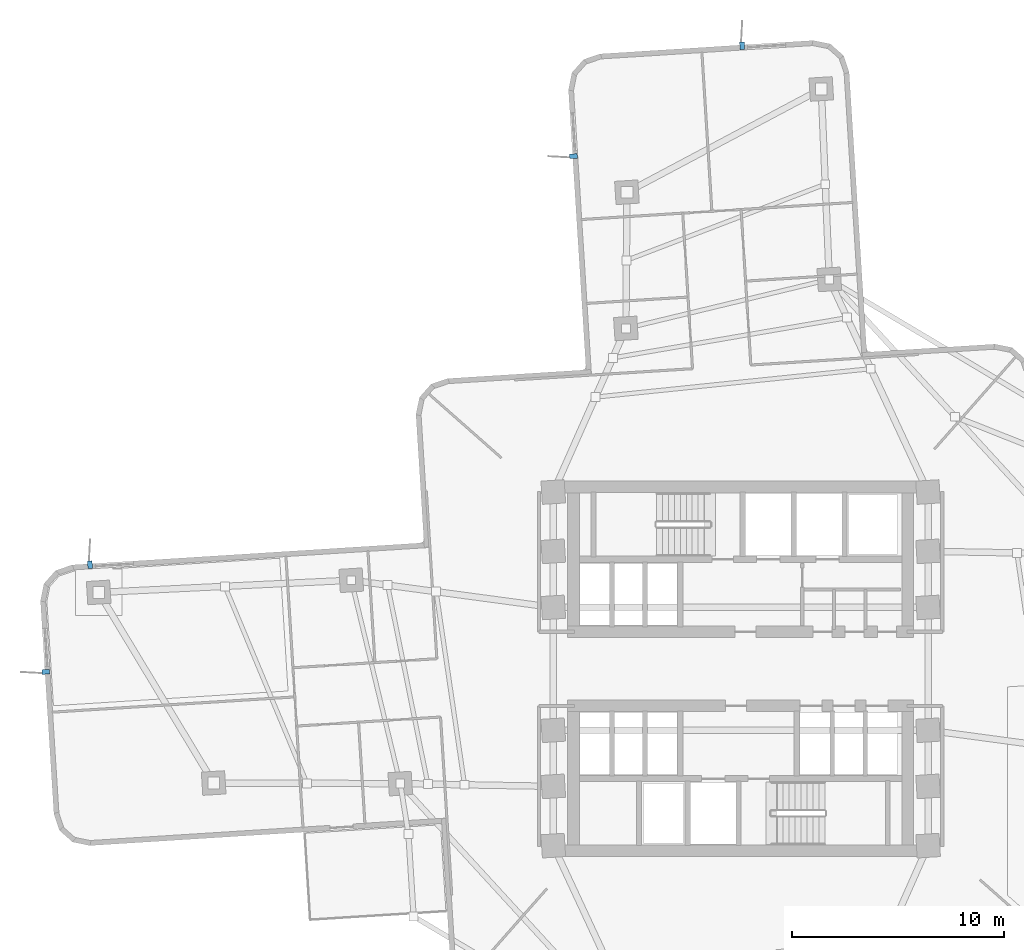
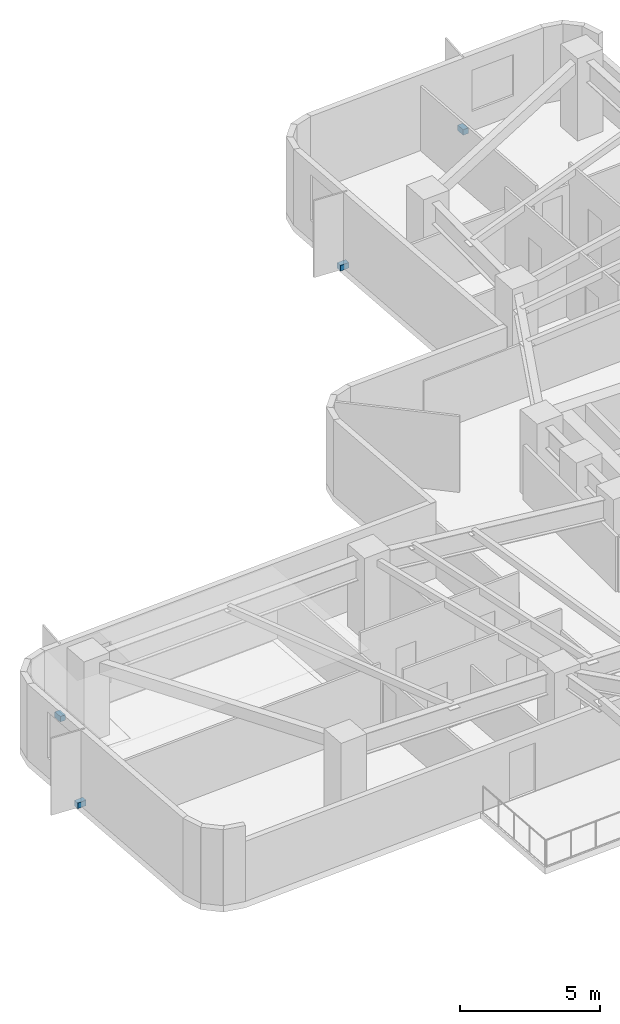
# One storey, part 7 of 11: 4 discrete accessories.
"""IFC4 building model written with IfcOpenShell, lengths in metres."""

import ifcopenshell
import ifcopenshell.guid

model = None  # the IFC model being written
_history = None  # IfcOwnerHistory: only IFC2X3 demands one
_inside = {}  # id of a spatial element -> (the spatial element, [elements in it])
_under = {}  # id of a project, library or spatial element -> (it, [spatial elements below it])
_declared = {}  # id of a project -> (the project, [libraries it declares])
_typed = {}  # id of a type object -> (the type object, [elements of that type])
_made_of = {}  # id of a material, layer set ... -> (it, [elements and type objects made of it])


def new_model(schema):
    """Start an empty IFC model of exactly this schema.

    Asked for "IFC4X3", IfcOpenShell would pick the latest addendum, in which some entities
    have other attributes; the version numbers below select the first issue.
    IFC2X3 requires an IfcOwnerHistory on every rooted entity: one is made here for all.
    """
    global model, _history
    if schema == "IFC4X3":
        model = ifcopenshell.file(schema_version=(4, 3, 0, 0))
    else:
        model = ifcopenshell.file(schema=schema)
    _inside.clear()
    _under.clear()
    _declared.clear()
    _typed.clear()
    _made_of.clear()
    _history = None
    if model.schema == "IFC2X3":
        org = make("IfcOrganization", Name="unknown")
        user = make(
            "IfcPersonAndOrganization",
            ThePerson=make("IfcPerson", FamilyName="unknown"),
            TheOrganization=org,
        )
        app = make(
            "IfcApplication",
            ApplicationDeveloper=org,
            Version="unknown",
            ApplicationFullName="unknown",
            ApplicationIdentifier="unknown",
        )
        _history = make(
            "IfcOwnerHistory",
            OwningUser=user,
            OwningApplication=app,
            ChangeAction="ADDED",
            CreationDate=0,
        )
    return model


def make(cls, **values):
    """One entity of the class cls with the attributes given. An attribute that is None is left unset."""
    return model.create_entity(
        cls, **{name: value for name, value in values.items() if value is not None}
    )


def rooted(cls, **values):
    """An entity with a GlobalId (a new one), such as an element, a storey or a relation."""
    return make(cls, GlobalId=ifcopenshell.guid.new(), OwnerHistory=_history, **values)


def si_unit(unit_type, name, prefix=None):
    """IfcSIUnit, for example si_unit("LENGTHUNIT", "METRE", prefix="MILLI")."""
    return make("IfcSIUnit", UnitType=unit_type, Prefix=prefix, Name=name)


def assignment(units):
    """IfcUnitAssignment: the units of a project."""
    return None if units is None else make("IfcUnitAssignment", Units=units)


def point(xyz):
    """IfcCartesianPoint."""
    return None if xyz is None else make("IfcCartesianPoint", Coordinates=xyz)


def direction(xyz):
    """IfcDirection."""
    return None if xyz is None else make("IfcDirection", DirectionRatios=xyz)


def frame(location, z_axis=None, x_axis=None):
    """IfcAxis2Placement3D, a coordinate frame: its origin and axes. An axis left out is left unset."""
    return make(
        "IfcAxis2Placement3D",
        Location=point(location),
        Axis=direction(z_axis),
        RefDirection=direction(x_axis),
    )


def frame_2d(location, x_axis=None):
    """IfcAxis2Placement2D, a coordinate frame in the plane: its origin and x axis."""
    return make(
        "IfcAxis2Placement2D", Location=point(location), RefDirection=direction(x_axis)
    )


def origin():
    """The frame at (0, 0, 0) with its axes left unset."""
    return frame((0.0, 0.0, 0.0))


def origin_2d():
    """The frame at (0, 0) in the plane with its x axis left unset."""
    return frame_2d((0.0, 0.0))


def place(relative_to, where):
    """IfcLocalPlacement: puts the frame where relative to a parent placement (None: the world)."""
    return make(
        "IfcLocalPlacement", PlacementRelTo=relative_to, RelativePlacement=where
    )


def context(
    kind, dimensions, precision=None, world=None, true_north=None, identifier=None
):
    """IfcGeometricRepresentationContext, for example the 3D "Model" context."""
    return make(
        "IfcGeometricRepresentationContext",
        ContextIdentifier=identifier,
        ContextType=kind,
        CoordinateSpaceDimension=dimensions,
        Precision=precision,
        WorldCoordinateSystem=world,
        TrueNorth=true_north,
    )


def subcontext(parent, identifier, kind, view, scale=None):
    """IfcGeometricRepresentationSubContext, for example "Body" below "Model"."""
    return make(
        "IfcGeometricRepresentationSubContext",
        ContextIdentifier=identifier,
        ContextType=kind,
        ParentContext=parent,
        TargetScale=scale,
        TargetView=view,
    )


def project(units=None, contexts=None):
    """IfcProject with its units and contexts."""
    return rooted(
        "IfcProject",
        Name="project",
        RepresentationContexts=contexts,
        UnitsInContext=assignment(units),
    )


def spatial(cls, under=None, at=None, **own):
    """A site, building, storey or space (cls), placed at a placement, below another one or the project."""
    s = rooted(cls, ObjectPlacement=at, **own)
    if under is not None:
        _under.setdefault(under.id(), (under, []))[1].append(s)
    return s


def profile(cls, at=None, kind="AREA", **sizes):
    """A parametric profile (cls). Its sizes go by their IFC names, for example OverallWidth=200.0."""
    return make(cls, ProfileType=kind, Position=at, **sizes)


def rectangle(**sizes):
    """IfcRectangleProfileDef."""
    return profile("IfcRectangleProfileDef", **sizes)


def extrude(swept, where, along, depth):
    """IfcExtrudedAreaSolid: the profile swept, set in the frame where, extruded along a direction by depth."""
    return make(
        "IfcExtrudedAreaSolid",
        SweptArea=swept,
        Position=where,
        ExtrudedDirection=direction(along),
        Depth=depth,
    )


def shape(context_of_items, identifier, shape_type, items):
    """IfcShapeRepresentation: the items that make up one representation, for example the "Body"."""
    return make(
        "IfcShapeRepresentation",
        ContextOfItems=context_of_items,
        RepresentationIdentifier=identifier,
        RepresentationType=shape_type,
        Items=items,
    )


def material(Name=None, Category=None):
    """IfcMaterial."""
    return make("IfcMaterial", Name=Name, Category=Category)


def made_of(thing, what):
    """Note that an element or type object is made of a material, layer set ...; save() writes the relation."""
    if what is not None:
        _made_of.setdefault(what.id(), (what, []))[1].append(thing)
    return thing


def type_object(cls, material=None, **own):
    """A type object (cls), such as IfcWallType, which elements share."""
    return made_of(rooted(cls, **own), material)


def element(
    cls,
    number,
    at=None,
    inside=None,
    cuts=None,
    type_object=None,
    material=None,
    context=None,
    identifier="Body",
    shape_type=None,
    held_by="IfcProductDefinitionShape",
    body=None,
    shapes=None,
    **own,
):
    """One element of the class cls, such as IfcWall. Its Tag is "e" and its number.

    at: its placement. inside: the storey or other place that contains it. cuts: it is an
    opening in that element (IfcRelVoidsElement). A single representation is given by context,
    identifier, shape_type and body (its items); several are given by shapes. held_by: the class
    of the entity that holds the representations. save() writes the other relations.
    """
    e = rooted(cls, Tag="e%d" % number, ObjectPlacement=at, **own)
    if body is not None:
        shapes = [shape(context, identifier, shape_type, body)]
    if shapes is not None:
        e.Representation = make(held_by, Representations=shapes)
    if inside is not None:
        _inside.setdefault(inside.id(), (inside, []))[1].append(e)
    if cuts is not None:
        rooted(
            "IfcRelVoidsElement", RelatingBuildingElement=cuts, RelatedOpeningElement=e
        )
    if type_object is not None:
        _typed.setdefault(type_object.id(), (type_object, []))[1].append(e)
    return made_of(e, material)


def aggregate(whole, parts):
    """IfcRelAggregates: a whole, such as a stair, and the parts it consists of."""
    return rooted("IfcRelAggregates", RelatingObject=whole, RelatedObjects=parts)


def save(model, path):
    """Write the relations noted so far, then the file.

    IfcRelAggregates (storeys below a building ...), IfcRelContainedInSpatialStructure (elements
    in a storey), IfcRelDefinesByType, IfcRelAssociatesMaterial and IfcRelDeclares: one each for
    every whole, place, type object, material and project.
    """
    for whole, parts in _under.values():
        aggregate(whole, parts)
    for where, things in _inside.values():
        rooted(
            "IfcRelContainedInSpatialStructure",
            RelatedElements=things,
            RelatingStructure=where,
        )
    for kind, things in _typed.values():
        rooted("IfcRelDefinesByType", RelatedObjects=things, RelatingType=kind)
    for what, things in _made_of.values():
        rooted("IfcRelAssociatesMaterial", RelatedObjects=things, RelatingMaterial=what)
    for by, libraries in _declared.values():
        rooted("IfcRelDeclares", RelatingContext=by, RelatedDefinitions=libraries)
    model.write(path)


model = new_model("IFC4")

# Units and contexts
model_context = context("Model", 3, precision=1e-05, world=origin(), true_north=direction((0.0, 1.0)))
body_context = subcontext(model_context, "Body", "Model", "MODEL_VIEW")
ifc_project = project(units=[si_unit("LENGTHUNIT", "METRE"), si_unit("AREAUNIT", "SQUARE_METRE"), si_unit("VOLUMEUNIT", "CUBIC_METRE"), si_unit("PLANEANGLEUNIT", "RADIAN"), si_unit("MASSUNIT", "GRAM", prefix="KILO")], contexts=[model_context])

# Site, building, storey
site_placement = place(None, origin())
site = spatial("IfcSite", under=ifc_project, at=site_placement, CompositionType="ELEMENT")
building_placement = place(site_placement, origin())
building = spatial("IfcBuilding", under=site, at=building_placement, Name="Solmarez Civic Tower", CompositionType="ELEMENT")
storey_placement = place(building_placement, frame((0.0, 0.0, 49.679931640625)))
storey = spatial("IfcBuildingStorey", under=building, at=storey_placement, Name="L12", CompositionType="ELEMENT", Elevation=49.679931640625)

# Discrete accessories
ifc_material = material(Name="Stainless Steel Grade 1.4401", Category="steel")
discrete_accessory_type = type_object("IfcDiscreteAccessoryType", Name="BRACKET-SS-FIN", PredefinedType="BRACKET", material=ifc_material)
for number, where, z_axis, x_axis, name in (
    (1, (-32.81494140625, -0.14306640625, -0.06005859375), (0.0, 0.0, 1.0), (-0.998026548808, -0.062793374444, 0.0), "L12 Stainless Fin Support Bracket FIN-L12-01"),
    (2, (-30.72900390625, 4.919921875, -0.06005859375), (0.0, 0.0, 1.0), (-0.062790748343, 0.998026714032, 0.0), "L12 Stainless Fin Support Bracket FIN-L12-02"),
    (3, (-7.89599609375, 24.2119140625, -0.06005859375), (0.0, 0.0, 1.0), (-0.998024506732, -0.062825822418, 0.0), "L12 Stainless Fin Support Bracket FIN-L12-03"),
    (4, (0.070068359375, 29.422119140625, -0.06005859375), (0.0, 0.0, 1.0), (-0.062799611558, 0.998026156365, 0.0), "L12 Stainless Fin Support Bracket FIN-L12-04"),
):
    element("IfcDiscreteAccessory", number, at=place(storey_placement, frame(where, z_axis=z_axis, x_axis=x_axis)), inside=storey, type_object=discrete_accessory_type, Name=name, PredefinedType="BRACKET", context=body_context, shape_type="SweptSolid", body=[
        extrude(rectangle(XDim=0.360107421875, YDim=0.219970703125, at=origin_2d()), origin(), (0.0, 0.0, 1.0), 0.239990234375),
    ])

save(model, "model.ifc")
